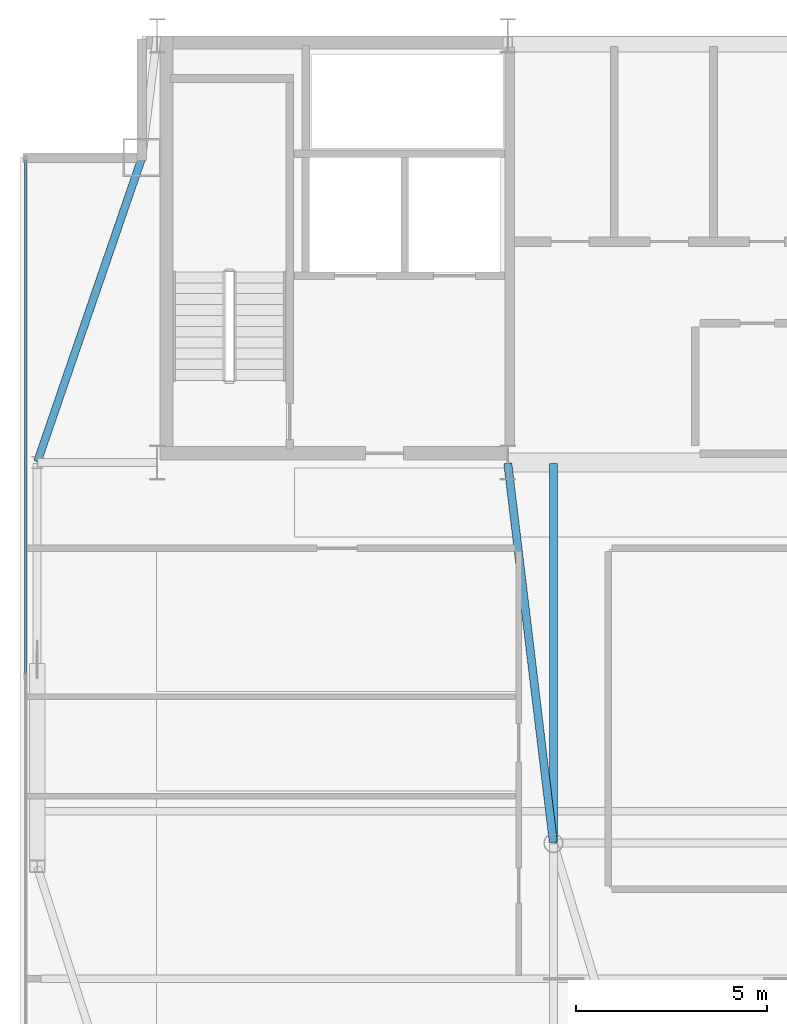
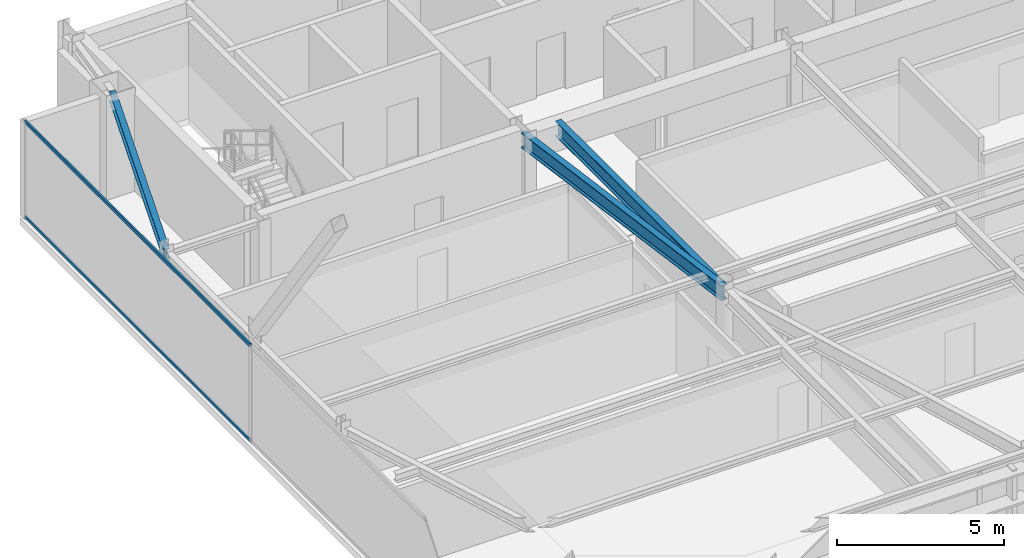
# One storey, part 11 of 24: 3 beams, 2 members, 1 element without a shape of its own.
"""IFC4 building model written with IfcOpenShell, lengths in metres."""

from ifc_helpers import new_model, si_unit, direction, frame, origin, origin_2d, place, context, subcontext, project, spatial, hollow_rectangle, i_section, extrude, source, transform, mapped, material, layer, layer_set, material_profile, profile_set, type_object, type_shapes, element, aggregate, save


model = new_model("IFC4")

# Units and contexts
model_context = context("Model", 3, precision=1e-05, world=origin(), true_north=direction((0.0, 1.0)))
body_context = subcontext(model_context, "Body", "Model", "MODEL_VIEW")
ifc_project = project(units=[si_unit("LENGTHUNIT", "METRE"), si_unit("AREAUNIT", "SQUARE_METRE"), si_unit("VOLUMEUNIT", "CUBIC_METRE"), si_unit("PLANEANGLEUNIT", "RADIAN"), si_unit("MASSUNIT", "GRAM", prefix="KILO")], contexts=[model_context])

# Site, building, storey
site_placement = place(None, origin())
site = spatial("IfcSite", under=ifc_project, at=site_placement, CompositionType="ELEMENT")
building_placement = place(site_placement, origin())
building = spatial("IfcBuilding", under=site, at=building_placement, Name="Varnel Quay Broadcast Tower", CompositionType="ELEMENT")
storey_placement = place(building_placement, frame((0.0, 0.0, 262.199951171875)))
storey = spatial("IfcBuildingStorey", under=building, at=storey_placement, Name="L65", CompositionType="ELEMENT", Elevation=262.199951171875)

# Beams
ifc_material_1 = material(Name="Structural Steel CSA G40.21 350W", Category="steel")
ifc_material_profile_1 = material_profile(ifc_material_1, i_section(OverallWidth=0.205078125, OverallDepth=0.35400390625, WebThickness=0.009521484375, FlangeThickness=0.016845703125, FilletRadius=0.012939453125, at=origin_2d()), Name="W360X79")
ifc_profile_set_1 = profile_set([ifc_material_profile_1], Name="Structural Steel CSA G40.21 350W")
beam_type_1 = type_object("IfcBeamType", Name="Beam_W360X79", PredefinedType="SPANDREL", material=ifc_profile_set_1)
shared_shape_1 = source(origin(), body_context, "Body", "SweptSolid", [
    extrude(i_section(OverallWidth=0.205078125, OverallDepth=0.35400390625, WebThickness=0.009521484375, FlangeThickness=0.016845703125, FilletRadius=0.012939453125, at=origin_2d()), origin(), (0.0, 0.0, 1.0), 8.41943359375),
])
type_shapes(beam_type_1, [shared_shape_1])
beam_1_placement = place(storey_placement, frame((12.45654296875, 35.618896484375, 3.373046875), z_axis=(0.325087062108, 0.945684092099, 0.0), x_axis=(-0.945684092099, 0.325087062108, 0.0)))
element("IfcBeam", 1, at=beam_1_placement, inside=storey, type_object=beam_type_1, Name="L65 West Spandrel TC-W2-MC-NW", PredefinedType="SPANDREL", context=body_context, shape_type="MappedRepresentation", body=[
    mapped(shared_shape_1, transform((0.0, 0.0, 0.0), x_axis=(1.0, 0.0, 0.0), y_axis=(0.0, 1.0, 0.0), z_axis=(0.0, 0.0, 1.0), scale=1.0)),
])
ifc_material_profile_2 = material_profile(ifc_material_1, i_section(OverallWidth=0.2119140625, OverallDepth=0.5439453125, WebThickness=0.01318359375, FlangeThickness=0.021240234375, FilletRadius=0.013916015625, at=origin_2d()), Name="W530X123")
ifc_profile_set_2 = profile_set([ifc_material_profile_2], Name="Structural Steel CSA G40.21 350W")
beam_type_2 = type_object("IfcBeamType", Name="Girder_W530X123", PredefinedType="BEAM", material=ifc_profile_set_2)
shared_shape_2 = source(origin(), body_context, "Body", "SweptSolid", [
    extrude(i_section(OverallWidth=0.2119140625, OverallDepth=0.5439453125, WebThickness=0.01318359375, FlangeThickness=0.021240234375, FilletRadius=0.013916015625, at=origin_2d()), origin(), (0.0, 0.0, 1.0), 10.021728515625),
])
beam_2_placement = place(storey_placement, frame((25.99755859375, 25.6298828125, 3.278076171875), z_axis=(-0.119248005741, 0.992864498875, 0.0), x_axis=(-0.992864498875, -0.119248005741, 0.0)))
element("IfcBeam", 2, at=beam_2_placement, inside=storey, type_object=beam_type_2, Name="L65 Primary Girder IC-01-CC-S2", PredefinedType="BEAM", context=body_context, shape_type="MappedRepresentation", body=[
    mapped(shared_shape_2, transform((0.0, 0.0, 0.0), x_axis=(1.0, 0.0, 0.0), y_axis=(0.0, 1.0, 0.0), z_axis=(0.0, 0.0, 1.0), scale=1.0)),
])
shared_shape_3 = source(origin(), body_context, "Body", "SweptSolid", [
    extrude(i_section(OverallWidth=0.2119140625, OverallDepth=0.5439453125, WebThickness=0.01318359375, FlangeThickness=0.021240234375, FilletRadius=0.013916015625, at=origin_2d()), origin(), (0.0, 0.0, 1.0), 9.9501953125),
])
type_shapes(beam_type_2, [shared_shape_2, shared_shape_3])
beam_3_placement = place(storey_placement, frame((26.0, 25.6298828125, 3.278076171875), z_axis=(0.0, 1.0, 0.0), x_axis=(-1.0, 0.0, 0.0)))
element("IfcBeam", 3, at=beam_3_placement, inside=storey, type_object=beam_type_2, Name="L65 N-S Joist Header IC-01N", PredefinedType="BEAM", context=body_context, shape_type="MappedRepresentation", body=[
    mapped(shared_shape_3, transform((0.0, 0.0, 0.0), x_axis=(1.0, 0.0, 0.0), y_axis=(0.0, 1.0, 0.0), z_axis=(0.0, 0.0, 1.0), scale=1.0)),
])

# Curtain wall, members
ifc_material_2 = material(Name="Anodised Bronze Aluminium 6063-T6", Category="aluminium")
ifc_layer = layer(ifc_material_2, 0.18994140625, Name="Anodised Bronze Aluminium 6063-T6")
ifc_layer_set = layer_set([ifc_layer], Name="Anodised Bronze Aluminium 6063-T6")
curtain_wall_type = type_object("IfcCurtainWallType", Name="CW_UpperTower", PredefinedType="NOTDEFINED", material=ifc_layer_set)
curtain_wall_placement = place(storey_placement, origin())
curtain_wall = element("IfcCurtainWall", 4, at=curtain_wall_placement, inside=storey, type_object=curtain_wall_type, Name="L65 West Unitised Curtain Wall", PredefinedType="NOTDEFINED")
ifc_material_profile_3 = material_profile(ifc_material_2, hollow_rectangle(XDim=0.06005859375, YDim=0.125, WallThickness=0.0029296875, at=origin_2d()), Name="ALU60X125X3")
ifc_profile_set_3 = profile_set([ifc_material_profile_3], Name="Anodised Bronze Aluminium 6063-T6")
member_type = type_object("IfcMemberType", Name="Tran_CWS-03", PredefinedType="USERDEFINED", material=ifc_profile_set_3)
shared_shape_4 = source(origin(), body_context, "Body", "SweptSolid", [
    extrude(hollow_rectangle(XDim=0.06005859375, YDim=0.125, WallThickness=0.0029296875, at=origin_2d()), origin(), (0.0, 0.0, 1.0), 13.50244140625),
])
type_shapes(member_type, [shared_shape_4])
member_1_placement = place(storey_placement, frame((12.14990234375, 30.032470703125, 0.030029296875), z_axis=(0.0, 1.0, 0.0), x_axis=(-1.0, 0.0, 0.0)))
member_1 = element("IfcMember", 5, at=member_1_placement, type_object=member_type, Name="CWS-03 transom 2.1", ObjectType="TRANSOM", PredefinedType="USERDEFINED", context=body_context, shape_type="MappedRepresentation", body=[
    mapped(shared_shape_4, transform((0.0, 0.0, 0.0), x_axis=(1.0, 0.0, 0.0), y_axis=(0.0, 1.0, 0.0), z_axis=(0.0, 0.0, 1.0), scale=1.0)),
])
member_2_placement = place(storey_placement, frame((12.14990234375, 30.032470703125, 3.52001953125), z_axis=(0.0, 1.0, 0.0), x_axis=(-1.0, 0.0, 0.0)))
member_2 = element("IfcMember", 6, at=member_2_placement, type_object=member_type, Name="CWS-03 transom 2.2", ObjectType="TRANSOM", PredefinedType="USERDEFINED", context=body_context, shape_type="MappedRepresentation", body=[
    mapped(shared_shape_4, transform((0.0, 0.0, 0.0), x_axis=(1.0, 0.0, 0.0), y_axis=(0.0, 1.0, 0.0), z_axis=(0.0, 0.0, 1.0), scale=1.0)),
])
aggregate(curtain_wall, [member_1, member_2])

save(model, "model.ifc")
